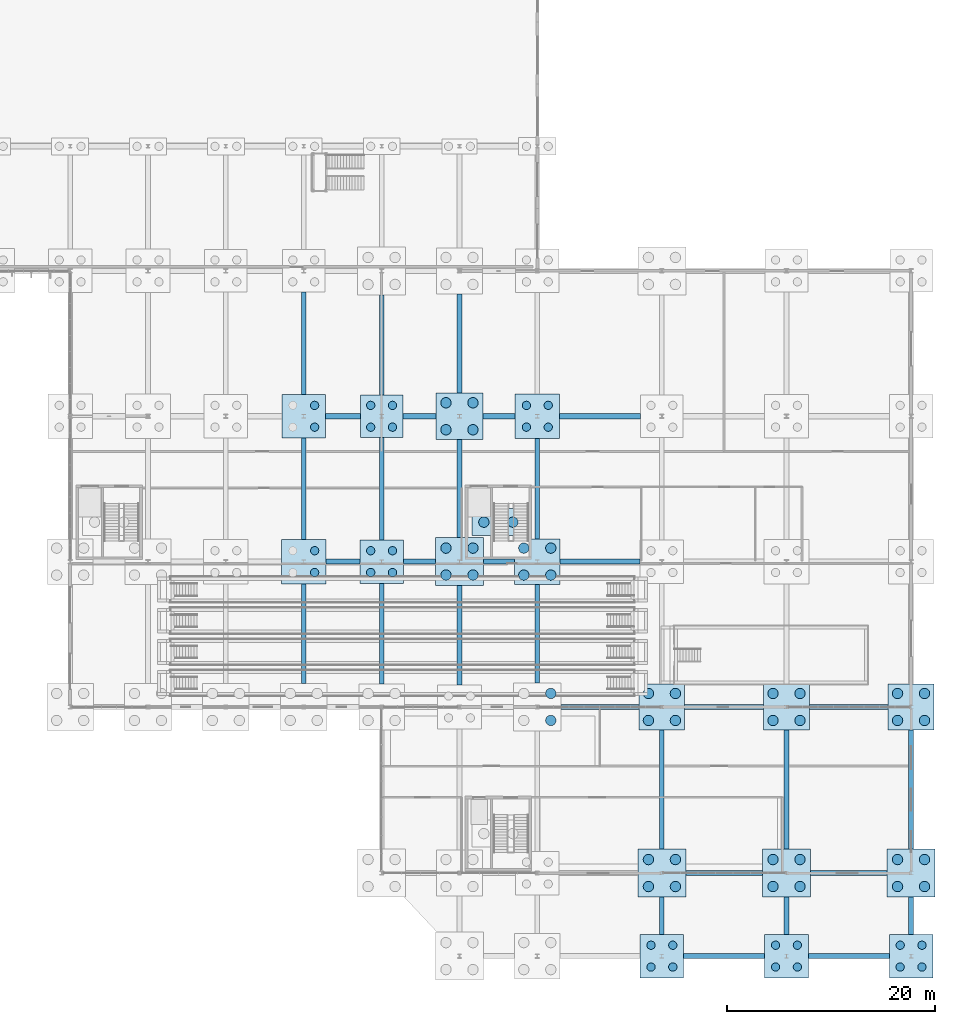
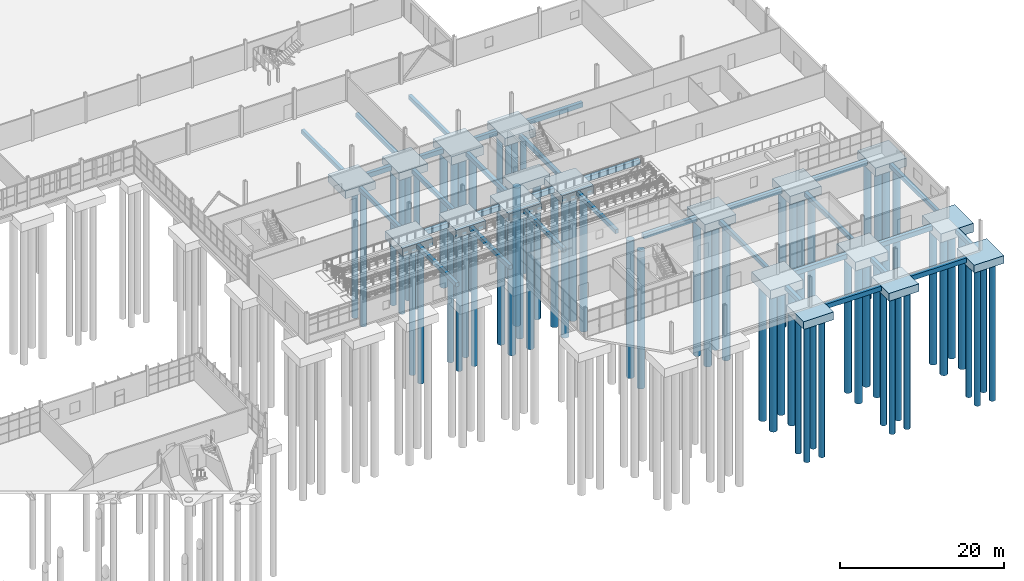
# One storey, part 7 of 136: 68 piles, 50 footings.
"""IFC4 building model written with IfcOpenShell, lengths in metres."""

from ifc_helpers import new_model, si_unit, direction, frame, origin, origin_2d, place, context, subcontext, project, spatial, rectangle, circle, extrude, material, material_profile, profile_set, type_object, element, save


model = new_model("IFC4")

# Units and contexts
model_context = context("Model", 3, precision=1e-05, world=origin(), true_north=direction((0.0, 1.0)))
body_context = subcontext(model_context, "Body", "Model", "MODEL_VIEW")
ifc_project = project(units=[si_unit("LENGTHUNIT", "METRE"), si_unit("AREAUNIT", "SQUARE_METRE"), si_unit("VOLUMEUNIT", "CUBIC_METRE"), si_unit("PLANEANGLEUNIT", "RADIAN"), si_unit("MASSUNIT", "GRAM", prefix="KILO")], contexts=[model_context])

# Site, building, storey
site_placement = place(None, origin())
site = spatial("IfcSite", under=ifc_project, at=site_placement, CompositionType="ELEMENT")
building_placement = place(site_placement, origin())
building = spatial("IfcBuilding", under=site, at=building_placement, Name="Solvenia Promenade Tram Depot", CompositionType="ELEMENT")
storey_placement = place(building_placement, origin())
storey = spatial("IfcBuildingStorey", under=building, at=storey_placement, Name="L00", CompositionType="ELEMENT", Elevation=0.0)

# Footings
ifc_material = material(Name="Concrete C28/35", Category="concrete")
footing_type_1 = type_object("IfcFootingType", Name="Cap-Core-5100x2600", PredefinedType="PAD_FOOTING", material=ifc_material)
footing_1_placement = place(storey_placement, frame((146.25, 41.800048828125, -1.5), z_axis=(0.0, 0.0, 1.0), x_axis=(1.0, 0.0, 0.0)))
element("IfcFooting", 1, at=footing_1_placement, inside=storey, type_object=footing_type_1, Name="Core Foundation Mat C6", PredefinedType="PAD_FOOTING", context=body_context, shape_type="SweptSolid", body=[
    extrude(rectangle(XDim=5.10009765625, YDim=2.60009765625, at=origin_2d()), origin(), (0.0, 0.0, 1.0), 1.199951171875),
])
footing_type_2 = type_object("IfcFootingType", Name="Cap-PC4-4100", PredefinedType="PILE_CAP", material=ifc_material)
footing_2_placement = place(storey_placement, frame((135.0, 52.0, -1.420166015625), z_axis=(0.0, 0.0, 1.0), x_axis=(1.0, 0.0, 0.0)))
element("IfcFooting", 2, at=footing_2_placement, inside=storey, type_object=footing_type_2, Name="Pile Cap CAP-121", PredefinedType="PILE_CAP", context=body_context, shape_type="SweptSolid", body=[
    extrude(rectangle(XDim=4.10009765625, YDim=4.10009765625, at=origin_2d()), origin(), (0.0, 0.0, 1.0), 1.1201171875),
])
footing_type_3 = type_object("IfcFootingType", Name="Cap-PC4-4200", PredefinedType="PILE_CAP", material=ifc_material)
for number, where, z_axis, x_axis, name in (
    (3, (127.5, 52.0, -1.449951171875), (0.0, 0.0, 1.0), (1.0, 0.0, 0.0), "Pile Cap CAP-114"),
    (4, (135.0, 38.0, -1.449951171875), (0.0, 0.0, 1.0), (1.0, 0.0, 0.0), "Pile Cap CAP-120"),
    (5, (162.0, 0.0, -1.449951171875), (0.0, 0.0, 1.0), (1.0, 0.0, 0.0), "Pile Cap CAP-141"),
    (6, (174.0, 0.0, -1.449951171875), (0.0, 0.0, 1.0), (1.0, 0.0, 0.0), "Pile Cap CAP-147"),
    (7, (186.0, 0.0, -1.449951171875), (0.0, 0.0, 1.0), (1.0, 0.0, 0.0), "Pile Cap CAP-153"),
):
    element("IfcFooting", number, at=place(storey_placement, frame(where, z_axis=z_axis, x_axis=x_axis)), inside=storey, type_object=footing_type_3, Name=name, PredefinedType="PILE_CAP", context=body_context, shape_type="SweptSolid", body=[
        extrude(rectangle(XDim=4.199951171875, YDim=4.199951171875, at=origin_2d()), origin(), (0.0, 0.0, 1.0), 1.14990234375),
    ])
footing_type_4 = type_object("IfcFootingType", Name="Cap-PC4-4300", PredefinedType="PILE_CAP", material=ifc_material)
for number, where, z_axis, x_axis, name in (
    (8, (127.5, 38.0, -1.47998046875), (0.0, 0.0, 1.0), (1.0, 0.0, 0.0), "Pile Cap CAP-113"),
    (9, (150.0, 52.0, -1.47998046875), (0.0, 0.0, 1.0), (1.0, 0.0, 0.0), "Pile Cap CAP-137"),
):
    element("IfcFooting", number, at=place(storey_placement, frame(where, z_axis=z_axis, x_axis=x_axis)), inside=storey, type_object=footing_type_4, Name=name, PredefinedType="PILE_CAP", context=body_context, shape_type="SweptSolid", body=[
        extrude(rectangle(XDim=4.300048828125, YDim=4.300048828125, at=origin_2d()), origin(), (0.0, 0.0, 1.0), 1.179931640625),
    ])
footing_type_5 = type_object("IfcFootingType", Name="Cap-PC4-4400", PredefinedType="PILE_CAP", material=ifc_material)
for number, where, z_axis, x_axis, name in (
    (10, (150.0, 38.0, -1.52001953125), (0.0, 0.0, 1.0), (1.0, 0.0, 0.0), "Pile Cap CAP-136"),
    (11, (162.0, 24.0, -1.52001953125), (0.0, 0.0, 1.0), (1.0, 0.0, 0.0), "Pile Cap CAP-143"),
    (12, (174.0, 24.0, -1.52001953125), (0.0, 0.0, 1.0), (1.0, 0.0, 0.0), "Pile Cap CAP-149"),
    (13, (186.0, 24.0, -1.52001953125), (0.0, 0.0, 1.0), (1.0, 0.0, 0.0), "Pile Cap CAP-155"),
):
    element("IfcFooting", number, at=place(storey_placement, frame(where, z_axis=z_axis, x_axis=x_axis)), inside=storey, type_object=footing_type_5, Name=name, PredefinedType="PILE_CAP", context=body_context, shape_type="SweptSolid", body=[
        extrude(rectangle(XDim=4.39990234375, YDim=4.39990234375, at=origin_2d()), origin(), (0.0, 0.0, 1.0), 1.219970703125),
    ])
footing_type_6 = type_object("IfcFootingType", Name="Cap-PC4-4500", PredefinedType="PILE_CAP", material=ifc_material)
footing_3_placement = place(storey_placement, frame((142.5, 52.0, -1.56005859375), z_axis=(0.0, 0.0, 1.0), x_axis=(1.0, 0.0, 0.0)))
element("IfcFooting", 14, at=footing_3_placement, inside=storey, type_object=footing_type_6, Name="Pile Cap CAP-129", PredefinedType="PILE_CAP", context=body_context, shape_type="SweptSolid", body=[
    extrude(rectangle(XDim=4.5, YDim=4.5, at=origin_2d()), origin(), (0.0, 0.0, 1.0), 1.260009765625),
])
footing_type_7 = type_object("IfcFootingType", Name="Cap-PC4-4600", PredefinedType="PILE_CAP", material=ifc_material)
for number, where, z_axis, x_axis, name in (
    (15, (142.5, 38.0, -1.60009765625), (0.0, 0.0, 1.0), (1.0, 0.0, 0.0), "Pile Cap CAP-128"),
    (16, (162.0, 8.0, -1.60009765625), (0.0, 0.0, 1.0), (1.0, 0.0, 0.0), "Pile Cap CAP-142"),
    (17, (174.0, 8.0, -1.60009765625), (0.0, 0.0, 1.0), (1.0, 0.0, 0.0), "Pile Cap CAP-148"),
    (18, (186.0, 8.0, -1.60009765625), (0.0, 0.0, 1.0), (1.0, 0.0, 0.0), "Pile Cap CAP-154"),
):
    element("IfcFooting", number, at=place(storey_placement, frame(where, z_axis=z_axis, x_axis=x_axis)), inside=storey, type_object=footing_type_7, Name=name, PredefinedType="PILE_CAP", context=body_context, shape_type="SweptSolid", body=[
        extrude(rectangle(XDim=4.60009765625, YDim=4.60009765625, at=origin_2d()), origin(), (0.0, 0.0, 1.0), 1.300048828125),
    ])

# Piles
ifc_material_profile_1 = material_profile(ifc_material, circle(Radius=0.5, at=origin_2d()), Name="D1000", Category="concrete")
ifc_profile_set_1 = profile_set([ifc_material_profile_1], Name="Concrete C28/35")
pile_type_1 = type_object("IfcPileType", Name="Pile-D1000", PredefinedType="BORED", material=ifc_profile_set_1)
for number, where, z_axis, x_axis, name in (
    (19, (141.199951171875, 36.699951171875, -1.5), (0.0, 0.0, -1.0), (1.0, 0.0, 0.0), "Bored Pile PILE-128-1"),
    (20, (141.199951171875, 39.300048828125, -1.5), (0.0, 0.0, -1.0), (1.0, 0.0, 0.0), "Bored Pile PILE-128-2"),
    (21, (143.800048828125, 36.699951171875, -1.5), (0.0, 0.0, -1.0), (1.0, 0.0, 0.0), "Bored Pile PILE-128-3"),
    (22, (143.800048828125, 39.300048828125, -1.5), (0.0, 0.0, -1.0), (1.0, 0.0, 0.0), "Bored Pile PILE-128-4"),
):
    element("IfcPile", number, at=place(storey_placement, frame(where, z_axis=z_axis, x_axis=x_axis)), inside=storey, type_object=pile_type_1, Name=name, PredefinedType="BORED", context=body_context, shape_type="SweptSolid", body=[
        extrude(circle(Radius=0.5, at=origin_2d()), origin(), (0.0, 0.0, 1.0), 20.5),
    ])
for number, where, z_axis, x_axis, name in (
    (23, (141.199951171875, 50.699951171875, -1.4599609375), (0.0, 0.0, -1.0), (1.0, 0.0, 0.0), "Bored Pile PILE-129-1"),
    (24, (141.199951171875, 53.300048828125, -1.4599609375), (0.0, 0.0, -1.0), (1.0, 0.0, 0.0), "Bored Pile PILE-129-2"),
    (25, (143.800048828125, 50.699951171875, -1.4599609375), (0.0, 0.0, -1.0), (1.0, 0.0, 0.0), "Bored Pile PILE-129-3"),
    (26, (143.800048828125, 53.300048828125, -1.4599609375), (0.0, 0.0, -1.0), (1.0, 0.0, 0.0), "Bored Pile PILE-129-4"),
):
    element("IfcPile", number, at=place(storey_placement, frame(where, z_axis=z_axis, x_axis=x_axis)), inside=storey, type_object=pile_type_1, Name=name, PredefinedType="BORED", context=body_context, shape_type="SweptSolid", body=[
        extrude(circle(Radius=0.5, at=origin_2d()), origin(), (0.0, 0.0, 1.0), 20.5400390625),
    ])
for number, where, z_axis, x_axis, name in (
    (27, (151.300048828125, 22.699951171875, -1.5), (0.0, 0.0, -1.0), (1.0, 0.0, 0.0), "Bored Pile PILE-135-3"),
    (28, (151.300048828125, 25.300048828125, -1.5), (0.0, 0.0, -1.0), (1.0, 0.0, 0.0), "Bored Pile PILE-135-4"),
):
    element("IfcPile", number, at=place(storey_placement, frame(where, z_axis=z_axis, x_axis=x_axis)), inside=storey, type_object=pile_type_1, Name=name, PredefinedType="BORED", context=body_context, shape_type="SweptSolid", body=[
        extrude(circle(Radius=0.5, at=origin_2d()), origin(), (0.0, 0.0, 1.0), 20.5),
    ])
for number, where, z_axis, x_axis, name in (
    (29, (148.699951171875, 36.699951171875, -1.419921875), (0.0, 0.0, -1.0), (1.0, 0.0, 0.0), "Bored Pile PILE-136-1"),
    (30, (148.699951171875, 39.300048828125, -1.419921875), (0.0, 0.0, -1.0), (1.0, 0.0, 0.0), "Bored Pile PILE-136-2"),
    (31, (151.300048828125, 36.699951171875, -1.419921875), (0.0, 0.0, -1.0), (1.0, 0.0, 0.0), "Bored Pile PILE-136-3"),
    (32, (151.300048828125, 39.300048828125, -1.419921875), (0.0, 0.0, -1.0), (1.0, 0.0, 0.0), "Bored Pile PILE-136-4"),
):
    element("IfcPile", number, at=place(storey_placement, frame(where, z_axis=z_axis, x_axis=x_axis)), inside=storey, type_object=pile_type_1, Name=name, PredefinedType="BORED", context=body_context, shape_type="SweptSolid", body=[
        extrude(circle(Radius=0.5, at=origin_2d()), origin(), (0.0, 0.0, 1.0), 20.580078125),
    ])
for number, where, z_axis, x_axis, name in (
    (33, (160.699951171875, 6.699951171875, -1.5), (0.0, 0.0, -1.0), (1.0, 0.0, 0.0), "Bored Pile PILE-142-1"),
    (34, (160.699951171875, 9.300048828125, -1.5), (0.0, 0.0, -1.0), (1.0, 0.0, 0.0), "Bored Pile PILE-142-2"),
    (35, (163.300048828125, 6.699951171875, -1.5), (0.0, 0.0, -1.0), (1.0, 0.0, 0.0), "Bored Pile PILE-142-3"),
    (36, (163.300048828125, 9.300048828125, -1.5), (0.0, 0.0, -1.0), (1.0, 0.0, 0.0), "Bored Pile PILE-142-4"),
):
    element("IfcPile", number, at=place(storey_placement, frame(where, z_axis=z_axis, x_axis=x_axis)), inside=storey, type_object=pile_type_1, Name=name, PredefinedType="BORED", context=body_context, shape_type="SweptSolid", body=[
        extrude(circle(Radius=0.5, at=origin_2d()), origin(), (0.0, 0.0, 1.0), 20.5),
    ])
for number, where, z_axis, x_axis, name in (
    (37, (160.699951171875, 22.699951171875, -1.419921875), (0.0, 0.0, -1.0), (1.0, 0.0, 0.0), "Bored Pile PILE-143-1"),
    (38, (160.699951171875, 25.300048828125, -1.419921875), (0.0, 0.0, -1.0), (1.0, 0.0, 0.0), "Bored Pile PILE-143-2"),
    (39, (163.300048828125, 22.699951171875, -1.419921875), (0.0, 0.0, -1.0), (1.0, 0.0, 0.0), "Bored Pile PILE-143-3"),
    (40, (163.300048828125, 25.300048828125, -1.419921875), (0.0, 0.0, -1.0), (1.0, 0.0, 0.0), "Bored Pile PILE-143-4"),
):
    element("IfcPile", number, at=place(storey_placement, frame(where, z_axis=z_axis, x_axis=x_axis)), inside=storey, type_object=pile_type_1, Name=name, PredefinedType="BORED", context=body_context, shape_type="SweptSolid", body=[
        extrude(circle(Radius=0.5, at=origin_2d()), origin(), (0.0, 0.0, 1.0), 20.580078125),
    ])
for number, where, z_axis, x_axis, name in (
    (41, (172.699951171875, 6.699951171875, -1.5), (0.0, 0.0, -1.0), (1.0, 0.0, 0.0), "Bored Pile PILE-148-1"),
    (42, (172.699951171875, 9.300048828125, -1.5), (0.0, 0.0, -1.0), (1.0, 0.0, 0.0), "Bored Pile PILE-148-2"),
    (43, (175.300048828125, 6.699951171875, -1.5), (0.0, 0.0, -1.0), (1.0, 0.0, 0.0), "Bored Pile PILE-148-3"),
    (44, (175.300048828125, 9.300048828125, -1.5), (0.0, 0.0, -1.0), (1.0, 0.0, 0.0), "Bored Pile PILE-148-4"),
):
    element("IfcPile", number, at=place(storey_placement, frame(where, z_axis=z_axis, x_axis=x_axis)), inside=storey, type_object=pile_type_1, Name=name, PredefinedType="BORED", context=body_context, shape_type="SweptSolid", body=[
        extrude(circle(Radius=0.5, at=origin_2d()), origin(), (0.0, 0.0, 1.0), 20.5),
    ])
for number, where, z_axis, x_axis, name in (
    (45, (172.699951171875, 22.699951171875, -1.419921875), (0.0, 0.0, -1.0), (1.0, 0.0, 0.0), "Bored Pile PILE-149-1"),
    (46, (172.699951171875, 25.300048828125, -1.419921875), (0.0, 0.0, -1.0), (1.0, 0.0, 0.0), "Bored Pile PILE-149-2"),
    (47, (175.300048828125, 22.699951171875, -1.419921875), (0.0, 0.0, -1.0), (1.0, 0.0, 0.0), "Bored Pile PILE-149-3"),
    (48, (175.300048828125, 25.300048828125, -1.419921875), (0.0, 0.0, -1.0), (1.0, 0.0, 0.0), "Bored Pile PILE-149-4"),
):
    element("IfcPile", number, at=place(storey_placement, frame(where, z_axis=z_axis, x_axis=x_axis)), inside=storey, type_object=pile_type_1, Name=name, PredefinedType="BORED", context=body_context, shape_type="SweptSolid", body=[
        extrude(circle(Radius=0.5, at=origin_2d()), origin(), (0.0, 0.0, 1.0), 20.580078125),
    ])
for number, where, z_axis, x_axis, name in (
    (49, (184.699951171875, 6.699951171875, -1.5), (0.0, 0.0, -1.0), (1.0, 0.0, 0.0), "Bored Pile PILE-154-1"),
    (50, (184.699951171875, 9.300048828125, -1.5), (0.0, 0.0, -1.0), (1.0, 0.0, 0.0), "Bored Pile PILE-154-2"),
    (51, (187.300048828125, 6.699951171875, -1.5), (0.0, 0.0, -1.0), (1.0, 0.0, 0.0), "Bored Pile PILE-154-3"),
    (52, (187.300048828125, 9.300048828125, -1.5), (0.0, 0.0, -1.0), (1.0, 0.0, 0.0), "Bored Pile PILE-154-4"),
):
    element("IfcPile", number, at=place(storey_placement, frame(where, z_axis=z_axis, x_axis=x_axis)), inside=storey, type_object=pile_type_1, Name=name, PredefinedType="BORED", context=body_context, shape_type="SweptSolid", body=[
        extrude(circle(Radius=0.5, at=origin_2d()), origin(), (0.0, 0.0, 1.0), 20.5),
    ])
for number, where, z_axis, x_axis, name in (
    (53, (184.699951171875, 22.699951171875, -1.419921875), (0.0, 0.0, -1.0), (1.0, 0.0, 0.0), "Bored Pile PILE-155-1"),
    (54, (184.699951171875, 25.300048828125, -1.419921875), (0.0, 0.0, -1.0), (1.0, 0.0, 0.0), "Bored Pile PILE-155-2"),
    (55, (187.300048828125, 22.699951171875, -1.419921875), (0.0, 0.0, -1.0), (1.0, 0.0, 0.0), "Bored Pile PILE-155-3"),
    (56, (187.300048828125, 25.300048828125, -1.419921875), (0.0, 0.0, -1.0), (1.0, 0.0, 0.0), "Bored Pile PILE-155-4"),
):
    element("IfcPile", number, at=place(storey_placement, frame(where, z_axis=z_axis, x_axis=x_axis)), inside=storey, type_object=pile_type_1, Name=name, PredefinedType="BORED", context=body_context, shape_type="SweptSolid", body=[
        extrude(circle(Radius=0.5, at=origin_2d()), origin(), (0.0, 0.0, 1.0), 20.580078125),
    ])
for number, where, z_axis, x_axis, name in (
    (57, (144.85009765625, 41.800048828125, -1.39990234375), (0.0, 0.0, -1.0), (1.0, 0.0, 0.0), "Core Bored Pile PILE-CORE-06-1"),
    (58, (147.64990234375, 41.800048828125, -1.39990234375), (0.0, 0.0, -1.0), (1.0, 0.0, 0.0), "Core Bored Pile PILE-CORE-06-2"),
):
    element("IfcPile", number, at=place(storey_placement, frame(where, z_axis=z_axis, x_axis=x_axis)), inside=storey, type_object=pile_type_1, Name=name, PredefinedType="BORED", context=body_context, shape_type="SweptSolid", body=[
        extrude(circle(Radius=0.5, at=origin_2d()), origin(), (0.0, 0.0, 1.0), 20.60009765625),
    ])
ifc_material_profile_2 = material_profile(ifc_material, circle(Radius=0.39990234375, at=origin_2d()), Name="D800", Category="concrete")
ifc_profile_set_2 = profile_set([ifc_material_profile_2], Name="Concrete C28/35")
pile_type_2 = type_object("IfcPileType", Name="Pile-D800", PredefinedType="BORED", material=ifc_profile_set_2)
for number, where, z_axis, x_axis, name in (
    (59, (128.550048828125, 36.949951171875, -1.3798828125), (0.0, 0.0, -1.0), (1.0, 0.0, 0.0), "Bored Pile PILE-113-3"),
    (60, (128.550048828125, 39.050048828125, -1.3798828125), (0.0, 0.0, -1.0), (1.0, 0.0, 0.0), "Bored Pile PILE-113-4"),
):
    element("IfcPile", number, at=place(storey_placement, frame(where, z_axis=z_axis, x_axis=x_axis)), inside=storey, type_object=pile_type_2, Name=name, PredefinedType="BORED", context=body_context, shape_type="SweptSolid", body=[
        extrude(circle(Radius=0.39990234375, at=origin_2d()), origin(), (0.0, 0.0, 1.0), 20.6201171875),
    ])
for number, where, z_axis, x_axis, name in (
    (61, (128.550048828125, 50.949951171875, -1.35009765625), (0.0, 0.0, -1.0), (1.0, 0.0, 0.0), "Bored Pile PILE-114-3"),
    (62, (128.550048828125, 53.050048828125, -1.35009765625), (0.0, 0.0, -1.0), (1.0, 0.0, 0.0), "Bored Pile PILE-114-4"),
    (63, (133.949951171875, 36.949951171875, -1.35009765625), (0.0, 0.0, -1.0), (1.0, 0.0, 0.0), "Bored Pile PILE-120-1"),
    (64, (133.949951171875, 39.050048828125, -1.35009765625), (0.0, 0.0, -1.0), (1.0, 0.0, 0.0), "Bored Pile PILE-120-2"),
    (65, (136.050048828125, 36.949951171875, -1.35009765625), (0.0, 0.0, -1.0), (1.0, 0.0, 0.0), "Bored Pile PILE-120-3"),
    (66, (136.050048828125, 39.050048828125, -1.35009765625), (0.0, 0.0, -1.0), (1.0, 0.0, 0.0), "Bored Pile PILE-120-4"),
):
    element("IfcPile", number, at=place(storey_placement, frame(where, z_axis=z_axis, x_axis=x_axis)), inside=storey, type_object=pile_type_2, Name=name, PredefinedType="BORED", context=body_context, shape_type="SweptSolid", body=[
        extrude(circle(Radius=0.39990234375, at=origin_2d()), origin(), (0.0, 0.0, 1.0), 20.64990234375),
    ])
for number, where, z_axis, x_axis, name in (
    (67, (133.949951171875, 50.949951171875, -1.320068359375), (0.0, 0.0, -1.0), (1.0, 0.0, 0.0), "Bored Pile PILE-121-1"),
    (68, (133.949951171875, 53.050048828125, -1.320068359375), (0.0, 0.0, -1.0), (1.0, 0.0, 0.0), "Bored Pile PILE-121-2"),
    (69, (136.050048828125, 50.949951171875, -1.320068359375), (0.0, 0.0, -1.0), (1.0, 0.0, 0.0), "Bored Pile PILE-121-3"),
    (70, (136.050048828125, 53.050048828125, -1.320068359375), (0.0, 0.0, -1.0), (1.0, 0.0, 0.0), "Bored Pile PILE-121-4"),
):
    element("IfcPile", number, at=place(storey_placement, frame(where, z_axis=z_axis, x_axis=x_axis)), inside=storey, type_object=pile_type_2, Name=name, PredefinedType="BORED", context=body_context, shape_type="SweptSolid", body=[
        extrude(circle(Radius=0.39990234375, at=origin_2d()), origin(), (0.0, 0.0, 1.0), 20.679931640625),
    ])
for number, where, z_axis, x_axis, name in (
    (71, (148.949951171875, 50.949951171875, -1.3798828125), (0.0, 0.0, -1.0), (1.0, 0.0, 0.0), "Bored Pile PILE-137-1"),
    (72, (148.949951171875, 53.050048828125, -1.3798828125), (0.0, 0.0, -1.0), (1.0, 0.0, 0.0), "Bored Pile PILE-137-2"),
    (73, (151.050048828125, 50.949951171875, -1.3798828125), (0.0, 0.0, -1.0), (1.0, 0.0, 0.0), "Bored Pile PILE-137-3"),
    (74, (151.050048828125, 53.050048828125, -1.3798828125), (0.0, 0.0, -1.0), (1.0, 0.0, 0.0), "Bored Pile PILE-137-4"),
):
    element("IfcPile", number, at=place(storey_placement, frame(where, z_axis=z_axis, x_axis=x_axis)), inside=storey, type_object=pile_type_2, Name=name, PredefinedType="BORED", context=body_context, shape_type="SweptSolid", body=[
        extrude(circle(Radius=0.39990234375, at=origin_2d()), origin(), (0.0, 0.0, 1.0), 20.6201171875),
    ])
for number, where, z_axis, x_axis, name in (
    (75, (160.949951171875, -1.050048828125, -1.35009765625), (0.0, 0.0, -1.0), (1.0, 0.0, 0.0), "Bored Pile PILE-141-1"),
    (76, (160.949951171875, 1.050048828125, -1.35009765625), (0.0, 0.0, -1.0), (1.0, 0.0, 0.0), "Bored Pile PILE-141-2"),
    (77, (163.050048828125, -1.050048828125, -1.35009765625), (0.0, 0.0, -1.0), (1.0, 0.0, 0.0), "Bored Pile PILE-141-3"),
    (78, (163.050048828125, 1.050048828125, -1.35009765625), (0.0, 0.0, -1.0), (1.0, 0.0, 0.0), "Bored Pile PILE-141-4"),
    (79, (172.949951171875, -1.050048828125, -1.35009765625), (0.0, 0.0, -1.0), (1.0, 0.0, 0.0), "Bored Pile PILE-147-1"),
    (80, (172.949951171875, 1.050048828125, -1.35009765625), (0.0, 0.0, -1.0), (1.0, 0.0, 0.0), "Bored Pile PILE-147-2"),
    (81, (175.050048828125, -1.050048828125, -1.35009765625), (0.0, 0.0, -1.0), (1.0, 0.0, 0.0), "Bored Pile PILE-147-3"),
    (82, (175.050048828125, 1.050048828125, -1.35009765625), (0.0, 0.0, -1.0), (1.0, 0.0, 0.0), "Bored Pile PILE-147-4"),
    (83, (184.949951171875, -1.050048828125, -1.35009765625), (0.0, 0.0, -1.0), (1.0, 0.0, 0.0), "Bored Pile PILE-153-1"),
    (84, (184.949951171875, 1.050048828125, -1.35009765625), (0.0, 0.0, -1.0), (1.0, 0.0, 0.0), "Bored Pile PILE-153-2"),
    (85, (187.050048828125, -1.050048828125, -1.35009765625), (0.0, 0.0, -1.0), (1.0, 0.0, 0.0), "Bored Pile PILE-153-3"),
    (86, (187.050048828125, 1.050048828125, -1.35009765625), (0.0, 0.0, -1.0), (1.0, 0.0, 0.0), "Bored Pile PILE-153-4"),
):
    element("IfcPile", number, at=place(storey_placement, frame(where, z_axis=z_axis, x_axis=x_axis)), inside=storey, type_object=pile_type_2, Name=name, PredefinedType="BORED", context=body_context, shape_type="SweptSolid", body=[
        extrude(circle(Radius=0.39990234375, at=origin_2d()), origin(), (0.0, 0.0, 1.0), 20.64990234375),
    ])

# Footings
footing_type_8 = type_object("IfcFootingType", Name="TieBeam-450x600", PredefinedType="FOOTING_BEAM", material=ifc_material)
footing_4_placement = place(storey_placement, frame((127.5, 31.050048828125, -0.900146484375), z_axis=(0.0, 0.0, 1.0), x_axis=(1.0, 0.0, 0.0)))
element("IfcFooting", 87, at=footing_4_placement, inside=storey, type_object=footing_type_8, Name="Seismic Tie Beam Y-209", PredefinedType="FOOTING_BEAM", context=body_context, shape_type="SweptSolid", body=[
    extrude(rectangle(XDim=0.449951171875, YDim=9.60009765625, at=origin_2d()), origin(), (0.0, 0.0, 1.0), 0.60009765625),
])
footing_5_placement = place(storey_placement, frame((127.5, 45.02490234375, -0.900146484375), z_axis=(0.0, 0.0, 1.0), x_axis=(1.0, 0.0, 0.0)))
element("IfcFooting", 88, at=footing_5_placement, inside=storey, type_object=footing_type_8, Name="Seismic Tie Beam Y-210", PredefinedType="FOOTING_BEAM", context=body_context, shape_type="SweptSolid", body=[
    extrude(rectangle(XDim=0.449951171875, YDim=9.75, at=origin_2d()), origin(), (0.0, 0.0, 1.0), 0.60009765625),
])
footing_6_placement = place(storey_placement, frame((127.5, 59.02490234375, -0.900146484375), z_axis=(0.0, 0.0, 1.0), x_axis=(1.0, 0.0, 0.0)))
element("IfcFooting", 89, at=footing_6_placement, inside=storey, type_object=footing_type_8, Name="Seismic Tie Beam Y-211", PredefinedType="FOOTING_BEAM", context=body_context, shape_type="SweptSolid", body=[
    extrude(rectangle(XDim=0.449951171875, YDim=9.85009765625, at=origin_2d()), origin(), (0.0, 0.0, 1.0), 0.60009765625),
])
footing_7_placement = place(storey_placement, frame((135.0, 31.050048828125, -0.900146484375), z_axis=(0.0, 0.0, 1.0), x_axis=(1.0, 0.0, 0.0)))
element("IfcFooting", 90, at=footing_7_placement, inside=storey, type_object=footing_type_8, Name="Seismic Tie Beam Y-214", PredefinedType="FOOTING_BEAM", context=body_context, shape_type="SweptSolid", body=[
    extrude(rectangle(XDim=0.449951171875, YDim=9.699951171875, at=origin_2d()), origin(), (0.0, 0.0, 1.0), 0.60009765625),
])
footing_8_placement = place(storey_placement, frame((135.0, 45.02490234375, -0.900146484375), z_axis=(0.0, 0.0, 1.0), x_axis=(1.0, 0.0, 0.0)))
element("IfcFooting", 91, at=footing_8_placement, inside=storey, type_object=footing_type_8, Name="Seismic Tie Beam Y-215", PredefinedType="FOOTING_BEAM", context=body_context, shape_type="SweptSolid", body=[
    extrude(rectangle(XDim=0.449951171875, YDim=9.85009765625, at=origin_2d()), origin(), (0.0, 0.0, 1.0), 0.60009765625),
])
footing_9_placement = place(storey_placement, frame((135.0, 58.875, -0.900146484375), z_axis=(0.0, 0.0, 1.0), x_axis=(1.0, 0.0, 0.0)))
element("IfcFooting", 92, at=footing_9_placement, inside=storey, type_object=footing_type_8, Name="Seismic Tie Beam Y-216", PredefinedType="FOOTING_BEAM", context=body_context, shape_type="SweptSolid", body=[
    extrude(rectangle(XDim=0.449951171875, YDim=9.64990234375, at=origin_2d()), origin(), (0.0, 0.0, 1.0), 0.60009765625),
])
footing_10_placement = place(storey_placement, frame((142.5, 30.89990234375, -0.900146484375), z_axis=(0.0, 0.0, 1.0), x_axis=(1.0, 0.0, 0.0)))
element("IfcFooting", 93, at=footing_10_placement, inside=storey, type_object=footing_type_8, Name="Seismic Tie Beam Y-220", PredefinedType="FOOTING_BEAM", context=body_context, shape_type="SweptSolid", body=[
    extrude(rectangle(XDim=0.449951171875, YDim=9.60009765625, at=origin_2d()), origin(), (0.0, 0.0, 1.0), 0.60009765625),
])
footing_11_placement = place(storey_placement, frame((142.5, 45.02490234375, -0.900146484375), z_axis=(0.0, 0.0, 1.0), x_axis=(1.0, 0.0, 0.0)))
element("IfcFooting", 94, at=footing_11_placement, inside=storey, type_object=footing_type_8, Name="Seismic Tie Beam Y-221", PredefinedType="FOOTING_BEAM", context=body_context, shape_type="SweptSolid", body=[
    extrude(rectangle(XDim=0.449951171875, YDim=9.449951171875, at=origin_2d()), origin(), (0.0, 0.0, 1.0), 0.60009765625),
])
footing_12_placement = place(storey_placement, frame((142.5, 59.02490234375, -0.900146484375), z_axis=(0.0, 0.0, 1.0), x_axis=(1.0, 0.0, 0.0)))
element("IfcFooting", 95, at=footing_12_placement, inside=storey, type_object=footing_type_8, Name="Seismic Tie Beam Y-222", PredefinedType="FOOTING_BEAM", context=body_context, shape_type="SweptSolid", body=[
    extrude(rectangle(XDim=0.449951171875, YDim=9.550048828125, at=origin_2d()), origin(), (0.0, 0.0, 1.0), 0.60009765625),
])
footing_13_placement = place(storey_placement, frame((150.0, 31.050048828125, -0.900146484375), z_axis=(0.0, 0.0, 1.0), x_axis=(1.0, 0.0, 0.0)))
element("IfcFooting", 96, at=footing_13_placement, inside=storey, type_object=footing_type_8, Name="Seismic Tie Beam Y-226", PredefinedType="FOOTING_BEAM", context=body_context, shape_type="SweptSolid", body=[
    extrude(rectangle(XDim=0.449951171875, YDim=9.5, at=origin_2d()), origin(), (0.0, 0.0, 1.0), 0.60009765625),
])
footing_14_placement = place(storey_placement, frame((150.0, 45.02490234375, -0.900146484375), z_axis=(0.0, 0.0, 1.0), x_axis=(1.0, 0.0, 0.0)))
element("IfcFooting", 97, at=footing_14_placement, inside=storey, type_object=footing_type_8, Name="Seismic Tie Beam Y-227", PredefinedType="FOOTING_BEAM", context=body_context, shape_type="SweptSolid", body=[
    extrude(rectangle(XDim=0.449951171875, YDim=9.64990234375, at=origin_2d()), origin(), (0.0, 0.0, 1.0), 0.60009765625),
])
footing_15_placement = place(storey_placement, frame((162.0, 3.89990234375, -0.900146484375), z_axis=(0.0, 0.0, 1.0), x_axis=(1.0, 0.0, 0.0)))
element("IfcFooting", 98, at=footing_15_placement, inside=storey, type_object=footing_type_8, Name="Seismic Tie Beam Y-230", PredefinedType="FOOTING_BEAM", context=body_context, shape_type="SweptSolid", body=[
    extrude(rectangle(XDim=0.449951171875, YDim=3.60009765625, at=origin_2d()), origin(), (0.0, 0.0, 1.0), 0.60009765625),
])
footing_16_placement = place(storey_placement, frame((162.0, 16.050048828125, -0.900146484375), z_axis=(0.0, 0.0, 1.0), x_axis=(1.0, 0.0, 0.0)))
element("IfcFooting", 99, at=footing_16_placement, inside=storey, type_object=footing_type_8, Name="Seismic Tie Beam Y-231", PredefinedType="FOOTING_BEAM", context=body_context, shape_type="SweptSolid", body=[
    extrude(rectangle(XDim=0.449951171875, YDim=11.5, at=origin_2d()), origin(), (0.0, 0.0, 1.0), 0.60009765625),
])
footing_17_placement = place(storey_placement, frame((174.0, 3.89990234375, -0.900146484375), z_axis=(0.0, 0.0, 1.0), x_axis=(1.0, 0.0, 0.0)))
element("IfcFooting", 100, at=footing_17_placement, inside=storey, type_object=footing_type_8, Name="Seismic Tie Beam Y-235", PredefinedType="FOOTING_BEAM", context=body_context, shape_type="SweptSolid", body=[
    extrude(rectangle(XDim=0.449951171875, YDim=3.60009765625, at=origin_2d()), origin(), (0.0, 0.0, 1.0), 0.60009765625),
])
footing_18_placement = place(storey_placement, frame((174.0, 16.050048828125, -0.900146484375), z_axis=(0.0, 0.0, 1.0), x_axis=(1.0, 0.0, 0.0)))
element("IfcFooting", 101, at=footing_18_placement, inside=storey, type_object=footing_type_8, Name="Seismic Tie Beam Y-236", PredefinedType="FOOTING_BEAM", context=body_context, shape_type="SweptSolid", body=[
    extrude(rectangle(XDim=0.449951171875, YDim=11.5, at=origin_2d()), origin(), (0.0, 0.0, 1.0), 0.60009765625),
])
footing_19_placement = place(storey_placement, frame((186.0, 3.89990234375, -0.900146484375), z_axis=(0.0, 0.0, 1.0), x_axis=(1.0, 0.0, 0.0)))
element("IfcFooting", 102, at=footing_19_placement, inside=storey, type_object=footing_type_8, Name="Seismic Tie Beam Y-240", PredefinedType="FOOTING_BEAM", context=body_context, shape_type="SweptSolid", body=[
    extrude(rectangle(XDim=0.449951171875, YDim=3.60009765625, at=origin_2d()), origin(), (0.0, 0.0, 1.0), 0.60009765625),
])
footing_20_placement = place(storey_placement, frame((186.0, 16.050048828125, -0.900146484375), z_axis=(0.0, 0.0, 1.0), x_axis=(1.0, 0.0, 0.0)))
element("IfcFooting", 103, at=footing_20_placement, inside=storey, type_object=footing_type_8, Name="Seismic Tie Beam Y-241", PredefinedType="FOOTING_BEAM", context=body_context, shape_type="SweptSolid", body=[
    extrude(rectangle(XDim=0.449951171875, YDim=11.5, at=origin_2d()), origin(), (0.0, 0.0, 1.0), 0.60009765625),
])
footing_type_9 = type_object("IfcFootingType", Name="TieBeam-500x700", PredefinedType="FOOTING_BEAM", material=ifc_material)
for number, where, z_axis, x_axis, name in (
    (104, (168.0, 0.0, -1.0), (0.0, 0.0, 1.0), (1.0, 0.0, 0.0), "Seismic Tie Beam X-013"),
    (105, (180.0, 0.0, -1.0), (0.0, 0.0, 1.0), (1.0, 0.0, 0.0), "Seismic Tie Beam X-014"),
):
    element("IfcFooting", number, at=place(storey_placement, frame(where, z_axis=z_axis, x_axis=x_axis)), inside=storey, type_object=footing_type_9, Name=name, PredefinedType="FOOTING_BEAM", context=body_context, shape_type="SweptSolid", body=[
        extrude(rectangle(XDim=7.800048828125, YDim=0.5, at=origin_2d()), origin(), (0.0, 0.0, 1.0), 0.699951171875),
    ])
for number, where, z_axis, x_axis, name in (
    (106, (168.0, 8.0, -1.0), (0.0, 0.0, 1.0), (1.0, 0.0, 0.0), "Seismic Tie Beam X-030"),
    (107, (180.0, 8.0, -1.0), (0.0, 0.0, 1.0), (1.0, 0.0, 0.0), "Seismic Tie Beam X-031"),
):
    element("IfcFooting", number, at=place(storey_placement, frame(where, z_axis=z_axis, x_axis=x_axis)), inside=storey, type_object=footing_type_9, Name=name, PredefinedType="FOOTING_BEAM", context=body_context, shape_type="SweptSolid", body=[
        extrude(rectangle(XDim=7.39990234375, YDim=0.5, at=origin_2d()), origin(), (0.0, 0.0, 1.0), 0.699951171875),
    ])
footing_21_placement = place(storey_placement, frame((156.050048828125, 24.0, -1.0), z_axis=(0.0, 0.0, 1.0), x_axis=(1.0, 0.0, 0.0)))
element("IfcFooting", 108, at=footing_21_placement, inside=storey, type_object=footing_type_9, Name="Seismic Tie Beam X-050", PredefinedType="FOOTING_BEAM", context=body_context, shape_type="SweptSolid", body=[
    extrude(rectangle(XDim=7.5, YDim=0.5, at=origin_2d()), origin(), (0.0, 0.0, 1.0), 0.699951171875),
])
for number, where, z_axis, x_axis, name in (
    (109, (168.0, 24.0, -1.0), (0.0, 0.0, 1.0), (1.0, 0.0, 0.0), "Seismic Tie Beam X-051"),
    (110, (180.0, 24.0, -1.0), (0.0, 0.0, 1.0), (1.0, 0.0, 0.0), "Seismic Tie Beam X-052"),
):
    element("IfcFooting", number, at=place(storey_placement, frame(where, z_axis=z_axis, x_axis=x_axis)), inside=storey, type_object=footing_type_9, Name=name, PredefinedType="FOOTING_BEAM", context=body_context, shape_type="SweptSolid", body=[
        extrude(rectangle(XDim=7.60009765625, YDim=0.5, at=origin_2d()), origin(), (0.0, 0.0, 1.0), 0.699951171875),
    ])
footing_22_placement = place(storey_placement, frame((131.27490234375, 38.0, -1.0), z_axis=(0.0, 0.0, 1.0), x_axis=(1.0, 0.0, 0.0)))
element("IfcFooting", 111, at=footing_22_placement, inside=storey, type_object=footing_type_9, Name="Seismic Tie Beam X-062", PredefinedType="FOOTING_BEAM", context=body_context, shape_type="SweptSolid", body=[
    extrude(rectangle(XDim=3.25, YDim=0.5, at=origin_2d()), origin(), (0.0, 0.0, 1.0), 0.699951171875),
])
footing_23_placement = place(storey_placement, frame((138.64990234375, 38.0, -1.0), z_axis=(0.0, 0.0, 1.0), x_axis=(1.0, 0.0, 0.0)))
element("IfcFooting", 112, at=footing_23_placement, inside=storey, type_object=footing_type_9, Name="Seismic Tie Beam X-063", PredefinedType="FOOTING_BEAM", context=body_context, shape_type="SweptSolid", body=[
    extrude(rectangle(XDim=3.10009765625, YDim=0.5, at=origin_2d()), origin(), (0.0, 0.0, 1.0), 0.699951171875),
])
footing_24_placement = place(storey_placement, frame((146.300048828125, 38.0, -1.0), z_axis=(0.0, 0.0, 1.0), x_axis=(1.0, 0.0, 0.0)))
element("IfcFooting", 113, at=footing_24_placement, inside=storey, type_object=footing_type_9, Name="Seismic Tie Beam X-064", PredefinedType="FOOTING_BEAM", context=body_context, shape_type="SweptSolid", body=[
    extrude(rectangle(XDim=3.0, YDim=0.5, at=origin_2d()), origin(), (0.0, 0.0, 1.0), 0.699951171875),
])
footing_25_placement = place(storey_placement, frame((156.050048828125, 38.0, -1.0), z_axis=(0.0, 0.0, 1.0), x_axis=(1.0, 0.0, 0.0)))
element("IfcFooting", 114, at=footing_25_placement, inside=storey, type_object=footing_type_9, Name="Seismic Tie Beam X-065", PredefinedType="FOOTING_BEAM", context=body_context, shape_type="SweptSolid", body=[
    extrude(rectangle(XDim=7.699951171875, YDim=0.5, at=origin_2d()), origin(), (0.0, 0.0, 1.0), 0.699951171875),
])
footing_26_placement = place(storey_placement, frame((131.27490234375, 52.0, -1.0), z_axis=(0.0, 0.0, 1.0), x_axis=(1.0, 0.0, 0.0)))
element("IfcFooting", 115, at=footing_26_placement, inside=storey, type_object=footing_type_9, Name="Seismic Tie Beam X-077", PredefinedType="FOOTING_BEAM", context=body_context, shape_type="SweptSolid", body=[
    extrude(rectangle(XDim=3.35009765625, YDim=0.5, at=origin_2d()), origin(), (0.0, 0.0, 1.0), 0.699951171875),
])
footing_27_placement = place(storey_placement, frame((138.64990234375, 52.0, -1.0), z_axis=(0.0, 0.0, 1.0), x_axis=(1.0, 0.0, 0.0)))
element("IfcFooting", 116, at=footing_27_placement, inside=storey, type_object=footing_type_9, Name="Seismic Tie Beam X-078", PredefinedType="FOOTING_BEAM", context=body_context, shape_type="SweptSolid", body=[
    extrude(rectangle(XDim=3.199951171875, YDim=0.5, at=origin_2d()), origin(), (0.0, 0.0, 1.0), 0.699951171875),
])
footing_28_placement = place(storey_placement, frame((146.300048828125, 52.0, -1.0), z_axis=(0.0, 0.0, 1.0), x_axis=(1.0, 0.0, 0.0)))
element("IfcFooting", 117, at=footing_28_placement, inside=storey, type_object=footing_type_9, Name="Seismic Tie Beam X-079", PredefinedType="FOOTING_BEAM", context=body_context, shape_type="SweptSolid", body=[
    extrude(rectangle(XDim=3.10009765625, YDim=0.5, at=origin_2d()), origin(), (0.0, 0.0, 1.0), 0.699951171875),
])
footing_29_placement = place(storey_placement, frame((156.050048828125, 52.0, -1.0), z_axis=(0.0, 0.0, 1.0), x_axis=(1.0, 0.0, 0.0)))
element("IfcFooting", 118, at=footing_29_placement, inside=storey, type_object=footing_type_9, Name="Seismic Tie Beam X-080", PredefinedType="FOOTING_BEAM", context=body_context, shape_type="SweptSolid", body=[
    extrude(rectangle(XDim=7.800048828125, YDim=0.5, at=origin_2d()), origin(), (0.0, 0.0, 1.0), 0.699951171875),
])

save(model, "model.ifc")
